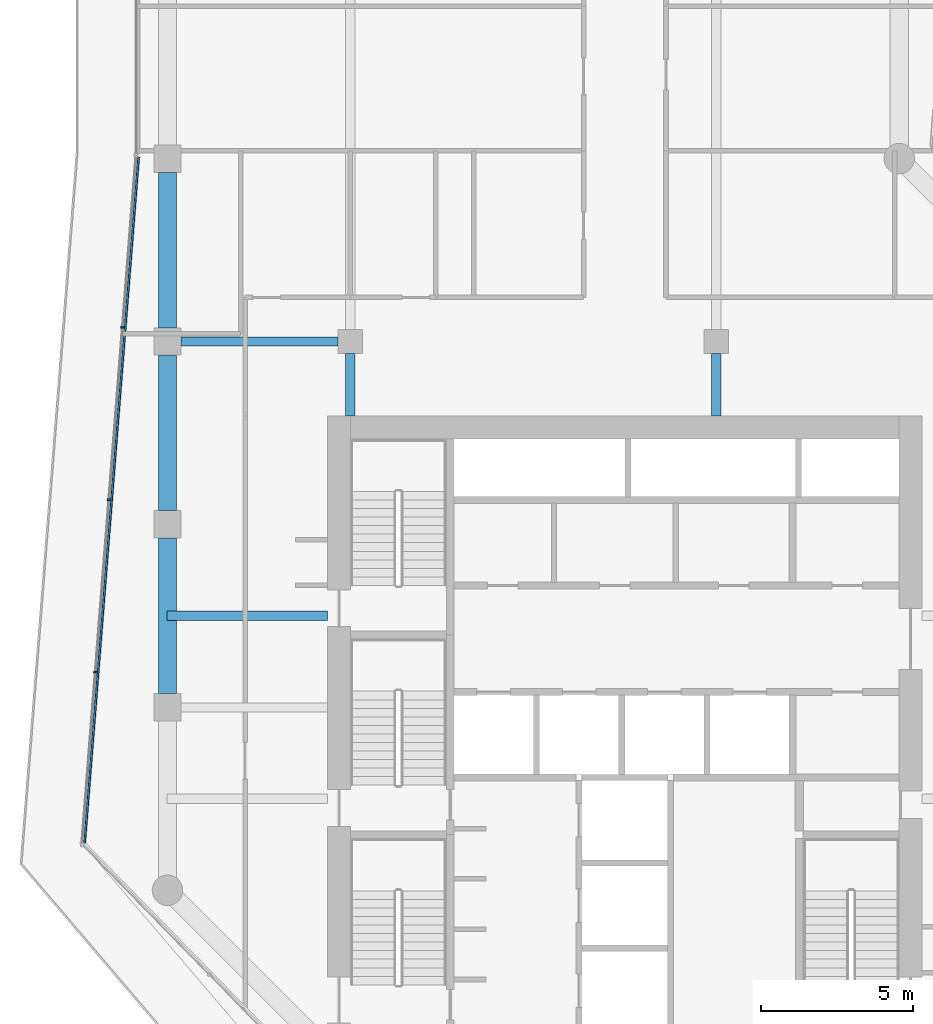
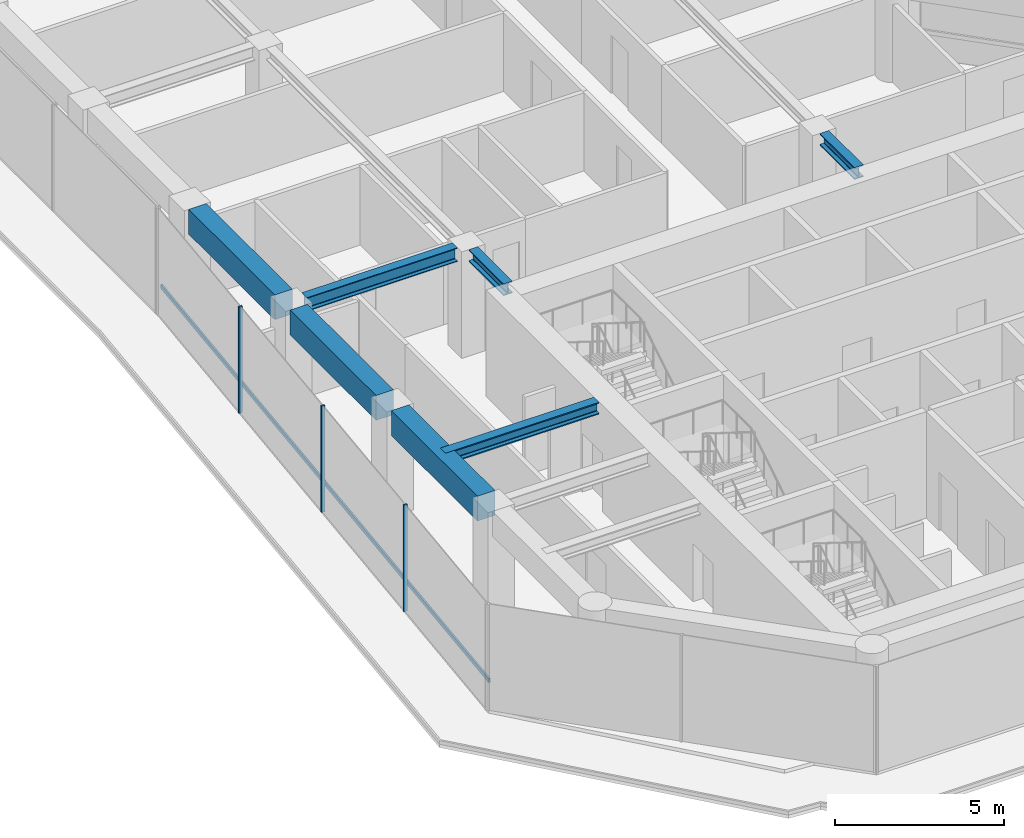
# One storey, part 4 of 24: 7 beams, 4 members, 1 element without a shape of its own.
"""IFC4 building model written with IfcOpenShell, lengths in metres."""

from ifc_helpers import new_model, si_unit, direction, frame, origin, origin_2d, place, context, subcontext, project, spatial, rectangle, i_section, extrude, material, layer, layer_set, material_profile, profile_set, type_object, element, aggregate, save


model = new_model("IFC4")

# Units and contexts
model_context = context("Model", 3, precision=1e-05, world=origin(), true_north=direction((0.0, 1.0)))
body_context = subcontext(model_context, "Body", "Model", "MODEL_VIEW")
ifc_project = project(units=[si_unit("LENGTHUNIT", "METRE"), si_unit("AREAUNIT", "SQUARE_METRE"), si_unit("VOLUMEUNIT", "CUBIC_METRE"), si_unit("PLANEANGLEUNIT", "RADIAN"), si_unit("MASSUNIT", "GRAM", prefix="KILO")], contexts=[model_context])

# Site, building, storey
site_placement = place(None, origin())
site = spatial("IfcSite", under=ifc_project, at=site_placement, CompositionType="ELEMENT")
building_placement = place(site_placement, origin())
building = spatial("IfcBuilding", under=site, at=building_placement, Name="Welwitschia Terrace Campus", CompositionType="ELEMENT")
storey_placement = place(building_placement, frame((0.0, 0.0, 129.800048828125)))
storey = spatial("IfcBuildingStorey", under=building, at=storey_placement, Name="L29", CompositionType="ELEMENT", Elevation=129.800048828125)

# Beams
ifc_material_1 = material(Name="Steel S355", Category="steel")
ifc_material_profile_1 = material_profile(ifc_material_1, i_section(OverallWidth=0.306884765625, OverallDepth=0.431884765625, WebThickness=0.02099609375, FlangeThickness=0.0400390625, FilletRadius=0.027099609375, at=origin_2d()))
ifc_profile_set_1 = profile_set([ifc_material_profile_1], Name="Steel S355")
beam_type_1 = type_object("IfcBeamType", Name="Interior girder HE 400 M", PredefinedType="BEAM", material=ifc_profile_set_1)
beam_1_placement = place(storey_placement, frame((-0.010009765625, 19.0, 3.634033203125), z_axis=(1.0, 0.0, 0.0), x_axis=(0.0, 1.0, 0.0)))
element("IfcBeam", 1, at=beam_1_placement, inside=storey, type_object=beam_type_1, Name="Girder GB3", PredefinedType="BEAM", context=body_context, shape_type="SweptSolid", body=[
    extrude(i_section(OverallWidth=0.306884765625, OverallDepth=0.431884765625, WebThickness=0.02099609375, FlangeThickness=0.0400390625, FilletRadius=0.027099609375, at=origin_2d()), origin(), (0.0, 0.0, 1.0), 5.259033203125),
])
for number, where, z_axis, x_axis, name in (
    (2, (6.0, 25.551025390625, 3.634033203125), (0.0, 1.0, 0.0), (-1.0, 0.0, 0.0), "Girder GB3"),
    (3, (18.0, 25.551025390625, 3.634033203125), (0.0, 1.0, 0.0), (-1.0, 0.0, 0.0), "Girder GB3"),
):
    element("IfcBeam", number, at=place(storey_placement, frame(where, z_axis=z_axis, x_axis=x_axis)), inside=storey, type_object=beam_type_1, Name=name, PredefinedType="BEAM", context=body_context, shape_type="SweptSolid", body=[
        extrude(i_section(OverallWidth=0.306884765625, OverallDepth=0.431884765625, WebThickness=0.02099609375, FlangeThickness=0.0400390625, FilletRadius=0.027099609375, at=origin_2d()), origin(), (0.0, 0.0, 1.0), 2.048583984375),
    ])

# Curtain wall, members
ifc_material_2 = material(Name="Bronze anodised aluminium", Category="aluminium")
ifc_layer = layer(ifc_material_2, 0.1201171875)
ifc_layer_set = layer_set([ifc_layer], Name="Bronze anodised aluminium")
curtain_wall_type = type_object("IfcCurtainWallType", Name="Curtain wall CW2 tower 6000", PredefinedType="NOTDEFINED", material=ifc_layer_set)
curtain_wall_placement = place(storey_placement, origin())
curtain_wall = element("IfcCurtainWall", 4, at=curtain_wall_placement, inside=storey, type_object=curtain_wall_type, Name="CW L29.0.0", PredefinedType="NOTDEFINED")
ifc_material_3 = material(Name="Bronze anodised aluminium", Category="aluminium")
ifc_material_profile_2 = material_profile(ifc_material_3, rectangle(XDim=0.1201171875, YDim=0.06005859375, at=origin_2d()))
ifc_profile_set_2 = profile_set([ifc_material_profile_2], Name="Bronze anodised aluminium")
member_type_1 = type_object("IfcMemberType", Name="Mullion 60x120", PredefinedType="MULLION", material=ifc_profile_set_2)
member_1_placement = place(storey_placement, frame((-1.474853515625, 28.46044921875, 0.0), z_axis=(0.0, 0.0, 1.0), x_axis=(0.996917333733, -0.078459095728, 0.0)))
member_1 = element("IfcMember", 5, at=member_1_placement, type_object=member_type_1, Name="Mullion L29.0.0.1", PredefinedType="MULLION", context=body_context, shape_type="SweptSolid", body=[
    extrude(rectangle(XDim=0.1201171875, YDim=0.06005859375, at=origin_2d()), origin(), (0.0, 0.0, 1.0), 3.849853515625),
])
member_2_placement = place(storey_placement, frame((-1.91943359375, 22.80908203125, 0.0), z_axis=(0.0, 0.0, 1.0), x_axis=(0.996917333733, -0.078459095728, 0.0)))
member_2 = element("IfcMember", 6, at=member_2_placement, type_object=member_type_1, Name="Mullion L29.0.0.2", PredefinedType="MULLION", context=body_context, shape_type="SweptSolid", body=[
    extrude(rectangle(XDim=0.1201171875, YDim=0.06005859375, at=origin_2d()), origin(), (0.0, 0.0, 1.0), 3.849853515625),
])
member_3_placement = place(storey_placement, frame((-2.3642578125, 17.15771484375, 0.0), z_axis=(0.0, 0.0, 1.0), x_axis=(0.996917333733, -0.078459095728, 0.0)))
member_3 = element("IfcMember", 7, at=member_3_placement, type_object=member_type_1, Name="Mullion L29.0.0.3", PredefinedType="MULLION", context=body_context, shape_type="SweptSolid", body=[
    extrude(rectangle(XDim=0.1201171875, YDim=0.06005859375, at=origin_2d()), origin(), (0.0, 0.0, 1.0), 3.849853515625),
])

# Beams
ifc_material_4 = material(Name="Steel S355", Category="steel")
ifc_material_profile_3 = material_profile(ifc_material_4, i_section(OverallWidth=0.300048828125, OverallDepth=0.5, WebThickness=0.014404296875, FlangeThickness=0.028076171875, FilletRadius=0.027099609375, at=origin_2d()))
ifc_profile_set_3 = profile_set([ifc_material_profile_3], Name="Steel S355")
beam_type_2 = type_object("IfcBeamType", Name="Primary beam HE 500 B", PredefinedType="BEAM", material=ifc_profile_set_3)
beam_2_placement = place(storey_placement, frame((0.450439453125, 28.0, 3.599853515625), z_axis=(1.0, 0.0, 0.0), x_axis=(0.0, 1.0, 0.0)))
element("IfcBeam", 8, at=beam_2_placement, inside=storey, type_object=beam_type_2, Name="Primary beam PB3", PredefinedType="BEAM", context=body_context, shape_type="SweptSolid", body=[
    extrude(i_section(OverallWidth=0.300048828125, OverallDepth=0.5, WebThickness=0.014404296875, FlangeThickness=0.028076171875, FilletRadius=0.027099609375, at=origin_2d()), origin(), (0.0, 0.0, 1.0), 5.149169921875),
])
ifc_material_5 = material(Name="Concrete C60/75", Category="concrete")
ifc_material_profile_4 = material_profile(ifc_material_5, rectangle(XDim=0.60009765625, YDim=0.89990234375, at=origin_2d()))
ifc_profile_set_4 = profile_set([ifc_material_profile_4], Name="Concrete C60/75")
beam_type_3 = type_object("IfcBeamType", Name="Ring spandrel 600x900", PredefinedType="SPANDREL", material=ifc_profile_set_4)
for number, where, z_axis, x_axis, name in (
    (9, (0.0, 33.549560546875, 3.39990234375), (0.0, -1.0, 0.0), (1.0, 0.0, 0.0), "Spandrel SP2"),
    (10, (0.0, 27.549560546875, 3.39990234375), (0.0, -1.0, 0.0), (1.0, 0.0, 0.0), "Spandrel SP2"),
    (11, (0.0, 21.549560546875, 3.39990234375), (0.0, -1.0, 0.0), (1.0, 0.0, 0.0), "Spandrel SP2"),
):
    element("IfcBeam", number, at=place(storey_placement, frame(where, z_axis=z_axis, x_axis=x_axis)), inside=storey, type_object=beam_type_3, Name=name, PredefinedType="SPANDREL", context=body_context, shape_type="SweptSolid", body=[
        extrude(rectangle(XDim=0.60009765625, YDim=0.89990234375, at=origin_2d()), origin(), (0.0, 0.0, 1.0), 5.09912109375),
    ])

# Member
ifc_material_6 = material(Name="Bronze anodised aluminium", Category="aluminium")
ifc_material_profile_5 = material_profile(ifc_material_6, rectangle(XDim=0.06005859375, YDim=0.14990234375, at=origin_2d()))
ifc_profile_set_5 = profile_set([ifc_material_profile_5], Name="Bronze anodised aluminium")
member_type_2 = type_object("IfcMemberType", Name="Transom 60x150", PredefinedType="USERDEFINED", material=ifc_profile_set_5)
member_4_placement = place(storey_placement, frame((-0.945068359375, 34.044921875, 1.0), z_axis=(-0.078452806911, -0.996917828654, 0.0), x_axis=(0.996917828654, -0.078452806911, 0.0)))
member_4 = element("IfcMember", 12, at=member_4_placement, type_object=member_type_2, Name="Transom L29.0.0", ObjectType="TRANSOM", PredefinedType="USERDEFINED", context=body_context, shape_type="SweptSolid", body=[
    extrude(rectangle(XDim=0.06005859375, YDim=0.14990234375, at=origin_2d()), origin(), (0.0, 0.0, 1.0), 22.555419921875),
])

aggregate(curtain_wall, [member_1, member_2, member_3, member_4])

save(model, "model.ifc")
